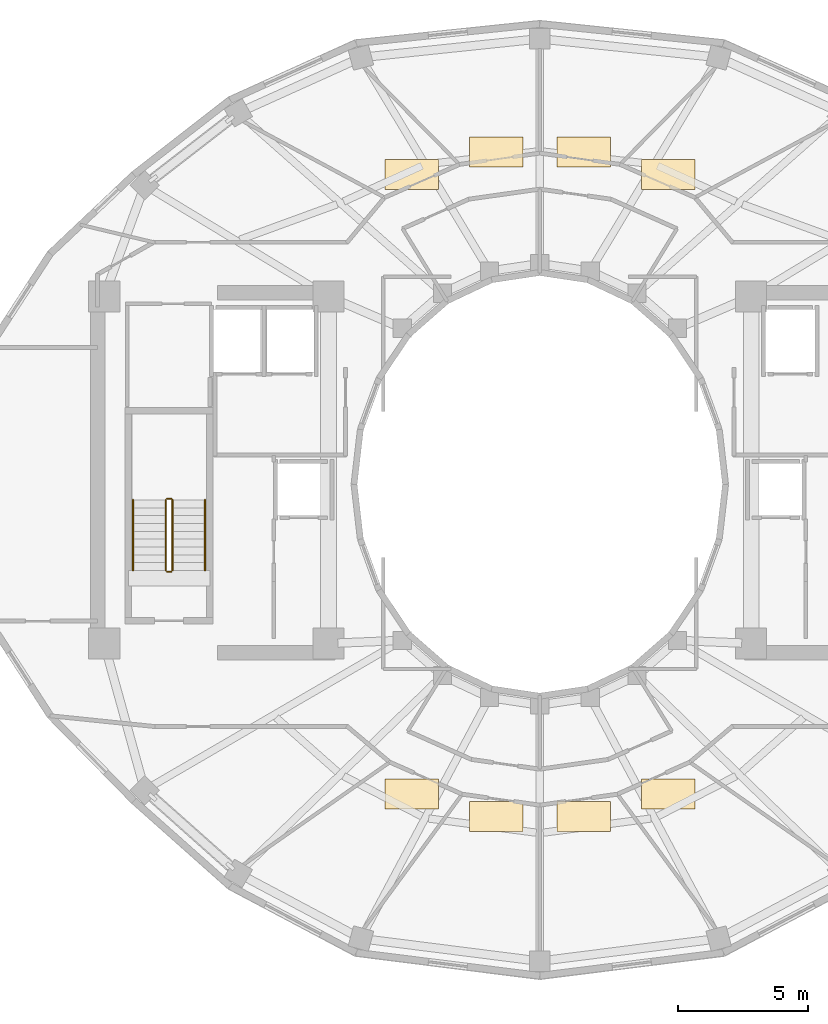
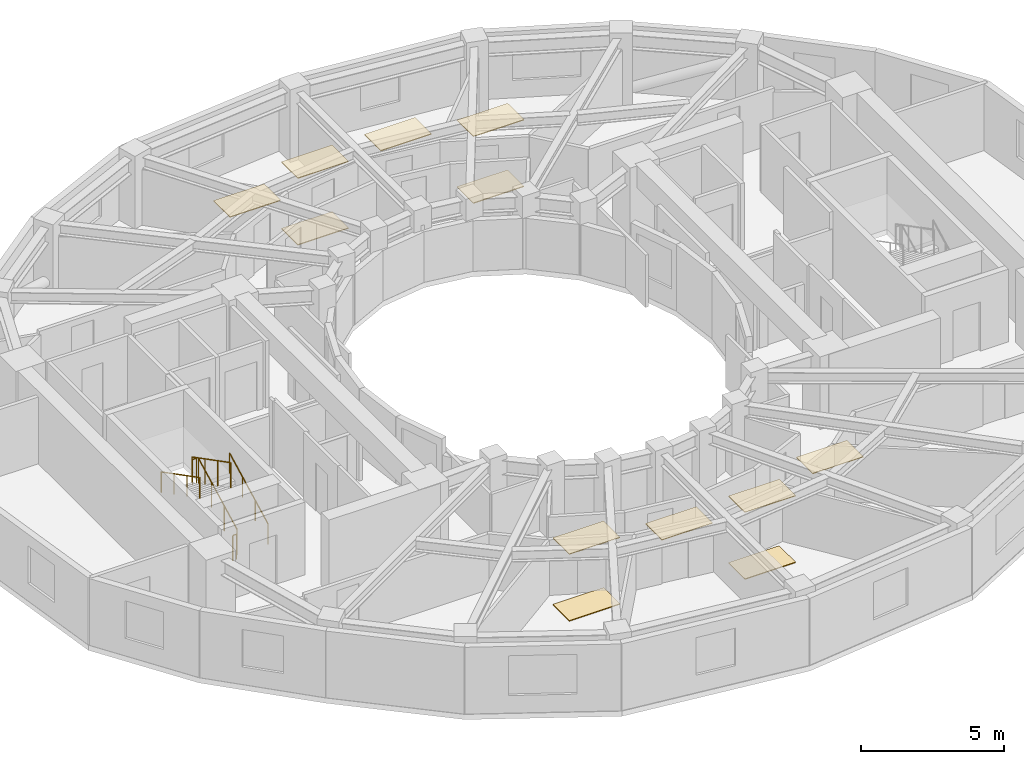
# One storey, part 8 of 9: 12 coverings, 6 railings.
"""IFC4 building model written with IfcOpenShell, lengths in metres."""

from ifc_helpers import new_model, si_unit, direction, frame, origin, origin_2d, place, context, subcontext, project, spatial, polyline, circle, outline, extrude, material, layer, layer_set, type_object, element, save


model = new_model("IFC4")

# Units and contexts
model_context = context("Model", 3, precision=1e-05, world=origin(), true_north=direction((0.0, 1.0)))
body_context = subcontext(model_context, "Body", "Model", "MODEL_VIEW")
ifc_project = project(units=[si_unit("LENGTHUNIT", "METRE"), si_unit("AREAUNIT", "SQUARE_METRE"), si_unit("VOLUMEUNIT", "CUBIC_METRE"), si_unit("PLANEANGLEUNIT", "RADIAN"), si_unit("MASSUNIT", "GRAM", prefix="KILO")], contexts=[model_context])

# Site, building, storey
site_placement = place(None, origin())
site = spatial("IfcSite", under=ifc_project, at=site_placement, CompositionType="ELEMENT")
building_placement = place(site_placement, origin())
building = spatial("IfcBuilding", under=site, at=building_placement, Name="Solvane Sanctuary Tower", CompositionType="ELEMENT")
storey_placement = place(building_placement, frame((0.0, 0.0, 232.60009765625)))
storey = spatial("IfcBuildingStorey", under=building, at=storey_placement, Name="L71", CompositionType="ELEMENT", Elevation=232.60009765625)

# Coverings
ifc_material_1 = material(Name="Acoustic Gypsum Partition Board")
ifc_layer_1 = layer(ifc_material_1, 0.02490234375, Name="Acoustic Gypsum Partition Board")
ifc_layer_set_1 = layer_set([ifc_layer_1], Name="Acoustic Gypsum Partition Board")
covering_type_1 = type_object("IfcCoveringType", Name="Covering CLG-ACOUST", PredefinedType="CEILING", material=ifc_layer_set_1)
covering_1_placement = place(storey_placement, frame((0.0, 0.0, 2.849853515625)))
element("IfcCovering", 1, at=covering_1_placement, inside=storey, type_object=covering_type_1, Name="L71 Unit Acoustic Ceiling Panel 1", PredefinedType="CEILING", context=body_context, shape_type="SweptSolid", body=[
    extrude(outline(polyline([(35.89208984375, 34.297119140625), (37.94189453125, 34.297119140625), (37.94189453125, 35.447021484375), (35.89208984375, 35.447021484375), (35.89208984375, 34.297119140625)])), origin(), (0.0, 0.0, 1.0), 0.030029296875),
])
covering_2_placement = place(storey_placement, frame((0.0, 0.0, 2.849853515625)))
element("IfcCovering", 2, at=covering_2_placement, inside=storey, type_object=covering_type_1, Name="L71 Unit Acoustic Ceiling Panel 2", PredefinedType="CEILING", context=body_context, shape_type="SweptSolid", body=[
    extrude(outline(polyline([(32.652099609375, 35.1650390625), (34.701904296875, 35.1650390625), (34.701904296875, 36.31494140625), (32.652099609375, 36.31494140625), (32.652099609375, 35.1650390625)])), origin(), (0.0, 0.0, 1.0), 0.030029296875),
])
covering_3_placement = place(storey_placement, frame((0.0, 0.0, 2.849853515625)))
element("IfcCovering", 3, at=covering_3_placement, inside=storey, type_object=covering_type_1, Name="L71 Unit Acoustic Ceiling Panel 3", PredefinedType="CEILING", context=body_context, shape_type="SweptSolid", body=[
    extrude(outline(polyline([(29.298095703125, 35.1650390625), (31.347900390625, 35.1650390625), (31.347900390625, 36.31494140625), (29.298095703125, 36.31494140625), (29.298095703125, 35.1650390625)])), origin(), (0.0, 0.0, 1.0), 0.030029296875),
])
covering_4_placement = place(storey_placement, frame((0.0, 0.0, 2.849853515625)))
element("IfcCovering", 4, at=covering_4_placement, inside=storey, type_object=covering_type_1, Name="L71 Unit Acoustic Ceiling Panel 4", PredefinedType="CEILING", context=body_context, shape_type="SweptSolid", body=[
    extrude(outline(polyline([(26.05810546875, 34.297119140625), (28.10791015625, 34.297119140625), (28.10791015625, 35.447021484375), (26.05810546875, 35.447021484375), (26.05810546875, 34.297119140625)])), origin(), (0.0, 0.0, 1.0), 0.030029296875),
])
covering_5_placement = place(storey_placement, frame((0.0, 0.0, 2.849853515625)))
element("IfcCovering", 5, at=covering_5_placement, inside=storey, type_object=covering_type_1, Name="L71 Unit Acoustic Ceiling Panel 5", PredefinedType="CEILING", context=body_context, shape_type="SweptSolid", body=[
    extrude(outline(polyline([(26.05810546875, 10.552978515625), (28.10791015625, 10.552978515625), (28.10791015625, 11.702880859375), (26.05810546875, 11.702880859375), (26.05810546875, 10.552978515625)])), origin(), (0.0, 0.0, 1.0), 0.030029296875),
])
covering_6_placement = place(storey_placement, frame((0.0, 0.0, 2.849853515625)))
element("IfcCovering", 6, at=covering_6_placement, inside=storey, type_object=covering_type_1, Name="L71 Unit Acoustic Ceiling Panel 6", PredefinedType="CEILING", context=body_context, shape_type="SweptSolid", body=[
    extrude(outline(polyline([(29.298095703125, 9.68505859375), (31.347900390625, 9.68505859375), (31.347900390625, 10.8349609375), (29.298095703125, 10.8349609375), (29.298095703125, 9.68505859375)])), origin(), (0.0, 0.0, 1.0), 0.030029296875),
])
covering_7_placement = place(storey_placement, frame((0.0, 0.0, 2.849853515625)))
element("IfcCovering", 7, at=covering_7_placement, inside=storey, type_object=covering_type_1, Name="L71 Unit Acoustic Ceiling Panel 7", PredefinedType="CEILING", context=body_context, shape_type="SweptSolid", body=[
    extrude(outline(polyline([(32.652099609375, 9.68505859375), (34.701904296875, 9.68505859375), (34.701904296875, 10.8349609375), (32.652099609375, 10.8349609375), (32.652099609375, 9.68505859375)])), origin(), (0.0, 0.0, 1.0), 0.030029296875),
])
covering_8_placement = place(storey_placement, frame((0.0, 0.0, 2.849853515625)))
element("IfcCovering", 8, at=covering_8_placement, inside=storey, type_object=covering_type_1, Name="L71 Unit Acoustic Ceiling Panel 8", PredefinedType="CEILING", context=body_context, shape_type="SweptSolid", body=[
    extrude(outline(polyline([(35.89208984375, 10.552978515625), (37.94189453125, 10.552978515625), (37.94189453125, 11.702880859375), (35.89208984375, 11.702880859375), (35.89208984375, 10.552978515625)])), origin(), (0.0, 0.0, 1.0), 0.030029296875),
])
ifc_material_2 = material(Name="Ceramic Tile Finish")
ifc_layer_2 = layer(ifc_material_2, 0.030029296875, Name="Ceramic Tile Finish")
ifc_layer_set_2 = layer_set([ifc_layer_2], Name="Ceramic Tile Finish")
covering_type_2 = type_object("IfcCoveringType", Name="Covering FLR-TERRAZZO", PredefinedType="FLOORING", material=ifc_layer_set_2)
covering_9_placement = place(storey_placement, origin())
element("IfcCovering", 9, at=covering_9_placement, inside=storey, type_object=covering_type_2, Name="L71 Unit Terrazzo Inlay 1", PredefinedType="FLOORING", context=body_context, shape_type="SweptSolid", body=[
    extrude(outline(polyline([(35.89208984375, 34.297119140625), (37.94189453125, 34.297119140625), (37.94189453125, 35.447021484375), (35.89208984375, 35.447021484375), (35.89208984375, 34.297119140625)])), origin(), (0.0, 0.0, 1.0), 0.034912109375),
])
covering_10_placement = place(storey_placement, origin())
element("IfcCovering", 10, at=covering_10_placement, inside=storey, type_object=covering_type_2, Name="L71 Unit Terrazzo Inlay 3", PredefinedType="FLOORING", context=body_context, shape_type="SweptSolid", body=[
    extrude(outline(polyline([(29.298095703125, 35.1650390625), (31.347900390625, 35.1650390625), (31.347900390625, 36.31494140625), (29.298095703125, 36.31494140625), (29.298095703125, 35.1650390625)])), origin(), (0.0, 0.0, 1.0), 0.034912109375),
])
covering_11_placement = place(storey_placement, origin())
element("IfcCovering", 11, at=covering_11_placement, inside=storey, type_object=covering_type_2, Name="L71 Unit Terrazzo Inlay 5", PredefinedType="FLOORING", context=body_context, shape_type="SweptSolid", body=[
    extrude(outline(polyline([(26.05810546875, 10.552978515625), (28.10791015625, 10.552978515625), (28.10791015625, 11.702880859375), (26.05810546875, 11.702880859375), (26.05810546875, 10.552978515625)])), origin(), (0.0, 0.0, 1.0), 0.034912109375),
])
covering_12_placement = place(storey_placement, origin())
element("IfcCovering", 12, at=covering_12_placement, inside=storey, type_object=covering_type_2, Name="L71 Unit Terrazzo Inlay 7", PredefinedType="FLOORING", context=body_context, shape_type="SweptSolid", body=[
    extrude(outline(polyline([(32.652099609375, 9.68505859375), (34.701904296875, 9.68505859375), (34.701904296875, 10.8349609375), (32.652099609375, 10.8349609375), (32.652099609375, 9.68505859375)])), origin(), (0.0, 0.0, 1.0), 0.034912109375),
])

# Railings
ifc_material_3 = material(Name="Architectural Stainless Steel 316", Category="steel")
railing_type_1 = type_object("IfcRailingType", Name="Railing GR-BALC-1150", PredefinedType="BALUSTRADE", material=ifc_material_3)
railing_1_placement = place(storey_placement, frame((17.919921875, 19.699951171875, 0.15478515625)))
element("IfcRailing", 13, at=railing_1_placement, inside=storey, type_object=railing_type_1, Name="L71 ST-1 stair guard 1", PredefinedType="BALUSTRADE", context=body_context, shape_type="SweptSolid", body=[
    extrude(circle(Radius=0.02392578125, at=origin_2d()), frame((0.0, 0.0, 1.076171875), z_axis=(0.0, 0.888419900624, 0.459031676658), x_axis=(-1.0, 0.0, 0.0)), (0.0, 0.0, 1.0), 3.0390625),
    extrude(circle(Radius=0.02099609375, at=origin_2d()), origin(), (0.0, 0.0, 1.0), 1.052001953125),
    extrude(circle(Radius=0.02099609375, at=origin_2d()), frame((0.0, 0.89990234375, 0.465087890625)), (0.0, 0.0, 1.0), 1.052001953125),
    extrude(circle(Radius=0.02099609375, at=origin_2d()), frame((0.0, 1.800048828125, 0.929931640625)), (0.0, 0.0, 1.0), 1.052001953125),
    extrude(circle(Radius=0.02099609375, at=origin_2d()), frame((0.0, 2.699951171875, 1.39501953125)), (0.0, 0.0, 1.0), 1.052001953125),
])
railing_2_placement = place(storey_placement, frame((17.8701171875, 22.449951171875, 1.5498046875)))
element("IfcRailing", 14, at=railing_2_placement, inside=storey, type_object=railing_type_1, Name="L71 ST-1 stair guard 2", PredefinedType="BALUSTRADE", context=body_context, shape_type="SweptSolid", body=[
    extrude(circle(Radius=0.02392578125, at=origin_2d()), frame((0.0, 0.0, 1.076171875), z_axis=(-1.0, 0.0, 0.0), x_axis=(0.0, -1.0, 0.0)), (0.0, 0.0, 1.0), 0.16015625),
    extrude(circle(Radius=0.02099609375, at=origin_2d()), origin(), (0.0, 0.0, 1.0), 1.052001953125),
    extrude(circle(Radius=0.02099609375, at=origin_2d()), frame((-0.16015625, 0.0, 0.0)), (0.0, 0.0, 1.0), 1.052001953125),
])
railing_3_placement = place(storey_placement, frame((17.659912109375, 22.39990234375, 1.704833984375)))
element("IfcRailing", 15, at=railing_3_placement, inside=storey, type_object=railing_type_1, Name="L71 ST-1 stair guard 3", PredefinedType="BALUSTRADE", context=body_context, shape_type="SweptSolid", body=[
    extrude(circle(Radius=0.02392578125, at=origin_2d()), frame((0.0, 0.0, 1.076171875), z_axis=(0.0, -0.888419900624, 0.459031676658), x_axis=(1.0, 0.0, 0.0)), (0.0, 0.0, 1.0), 3.0390625),
    extrude(circle(Radius=0.02099609375, at=origin_2d()), origin(), (0.0, 0.0, 1.0), 1.052001953125),
    extrude(circle(Radius=0.02099609375, at=origin_2d()), frame((0.0, -0.89990234375, 0.465087890625)), (0.0, 0.0, 1.0), 1.052001953125),
    extrude(circle(Radius=0.02099609375, at=origin_2d()), frame((0.0, -1.800048828125, 0.929931640625)), (0.0, 0.0, 1.0), 1.052001953125),
    extrude(circle(Radius=0.02099609375, at=origin_2d()), frame((0.0, -2.699951171875, 1.39501953125)), (0.0, 0.0, 1.0), 1.052001953125),
])
railing_4_placement = place(storey_placement, frame((17.8701171875, 19.64990234375, 0.0)))
element("IfcRailing", 16, at=railing_4_placement, inside=storey, type_object=railing_type_1, Name="L71 ST-1 stair guard 4", PredefinedType="BALUSTRADE", context=body_context, shape_type="SweptSolid", body=[
    extrude(circle(Radius=0.02392578125, at=origin_2d()), frame((0.0, 0.0, 1.076171875), z_axis=(-1.0, 0.0, 0.0), x_axis=(0.0, -1.0, 0.0)), (0.0, 0.0, 1.0), 0.16015625),
    extrude(circle(Radius=0.02099609375, at=origin_2d()), origin(), (0.0, 0.0, 1.0), 1.052001953125),
    extrude(circle(Radius=0.02099609375, at=origin_2d()), frame((-0.16015625, 0.0, 0.0)), (0.0, 0.0, 1.0), 1.052001953125),
])
railing_type_2 = type_object("IfcRailingType", Name="Railing HR-STAIR-920", PredefinedType="HANDRAIL", material=ifc_material_3)
railing_5_placement = place(storey_placement, frame((19.169921875, 19.699951171875, 0.15478515625)))
element("IfcRailing", 17, at=railing_5_placement, inside=storey, type_object=railing_type_2, Name="L71 ST-1 stair handrail 1", PredefinedType="HANDRAIL", context=body_context, shape_type="SweptSolid", body=[
    extrude(circle(Radius=0.02392578125, at=origin_2d()), frame((0.0, 0.0, 0.8759765625), z_axis=(0.0, 0.888419900624, 0.459031676658), x_axis=(-1.0, 0.0, 0.0)), (0.0, 0.0, 1.0), 3.0390625),
    extrude(circle(Radius=0.02099609375, at=origin_2d()), origin(), (0.0, 0.0, 1.0), 0.851806640625),
    extrude(circle(Radius=0.02099609375, at=origin_2d()), frame((0.0, 0.89990234375, 0.465087890625)), (0.0, 0.0, 1.0), 0.851806640625),
    extrude(circle(Radius=0.02099609375, at=origin_2d()), frame((0.0, 1.800048828125, 0.929931640625)), (0.0, 0.0, 1.0), 0.851806640625),
    extrude(circle(Radius=0.02099609375, at=origin_2d()), frame((0.0, 2.699951171875, 1.39501953125)), (0.0, 0.0, 1.0), 0.851806640625),
])
railing_6_placement = place(storey_placement, frame((16.409912109375, 22.39990234375, 1.704833984375)))
element("IfcRailing", 18, at=railing_6_placement, inside=storey, type_object=railing_type_2, Name="L71 ST-1 stair handrail 2", PredefinedType="HANDRAIL", context=body_context, shape_type="SweptSolid", body=[
    extrude(circle(Radius=0.02392578125, at=origin_2d()), frame((0.0, 0.0, 0.8759765625), z_axis=(0.0, -0.888419900624, 0.459031676658), x_axis=(1.0, 0.0, 0.0)), (0.0, 0.0, 1.0), 3.0390625),
    extrude(circle(Radius=0.02099609375, at=origin_2d()), origin(), (0.0, 0.0, 1.0), 0.851806640625),
    extrude(circle(Radius=0.02099609375, at=origin_2d()), frame((0.0, -0.89990234375, 0.465087890625)), (0.0, 0.0, 1.0), 0.851806640625),
    extrude(circle(Radius=0.02099609375, at=origin_2d()), frame((0.0, -1.800048828125, 0.929931640625)), (0.0, 0.0, 1.0), 0.851806640625),
    extrude(circle(Radius=0.02099609375, at=origin_2d()), frame((0.0, -2.699951171875, 1.39501953125)), (0.0, 0.0, 1.0), 0.851806640625),
])

save(model, "model.ifc")
